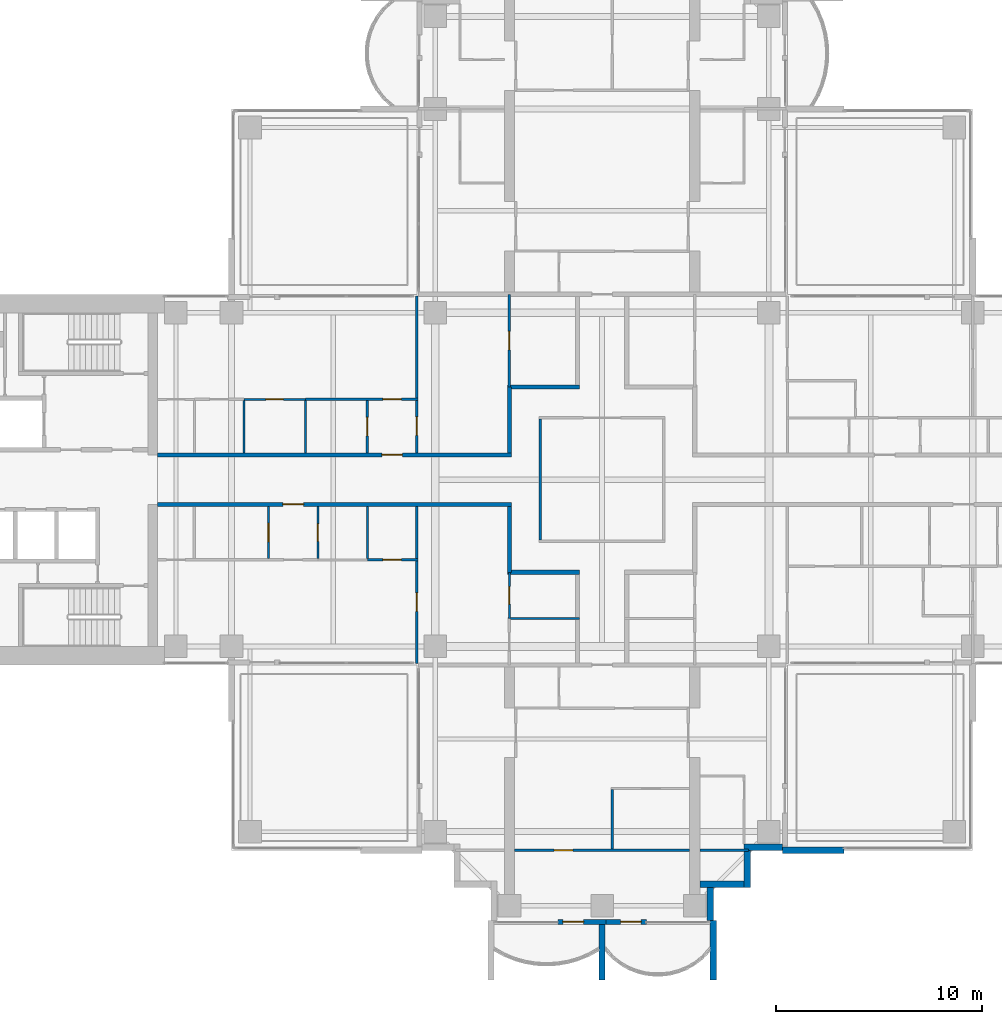
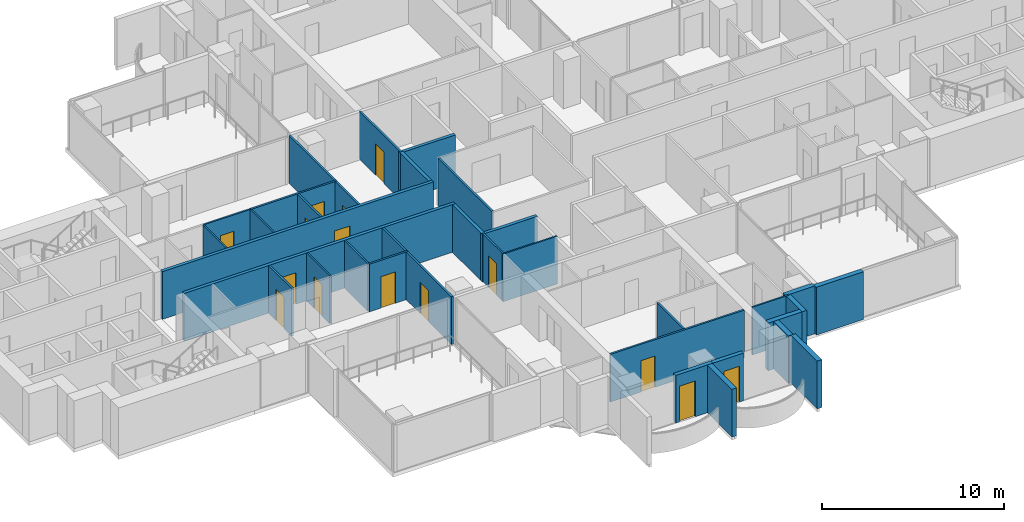
# One storey, part 10 of 19: 33 walls, 15 doors, 15 openings.
"""IFC4 building model written with IfcOpenShell, lengths in metres."""

from ifc_helpers import new_model, si_unit, direction, frame, frame_2d, origin, place, context, subcontext, project, spatial, rectangle, extrude, material, layer, layer_set, type_object, element, fill, save


model = new_model("IFC4")

# Units and contexts
model_context = context("Model", 3, precision=1e-05, world=origin(), true_north=direction((0.0, 1.0)))
body_context = subcontext(model_context, "Body", "Model", "MODEL_VIEW")
ifc_project = project(units=[si_unit("LENGTHUNIT", "METRE"), si_unit("AREAUNIT", "SQUARE_METRE"), si_unit("VOLUMEUNIT", "CUBIC_METRE"), si_unit("PLANEANGLEUNIT", "RADIAN"), si_unit("MASSUNIT", "GRAM", prefix="KILO")], contexts=[model_context])

# Site, building, storey
site_placement = place(None, origin())
site = spatial("IfcSite", under=ifc_project, at=site_placement, CompositionType="ELEMENT")
building_placement = place(site_placement, origin())
building = spatial("IfcBuilding", under=site, at=building_placement, Name="Perihelion Cross Residences", CompositionType="ELEMENT")
storey_placement = place(building_placement, frame((0.0, 0.0, 151.39990234375)))
storey = spatial("IfcBuildingStorey", under=building, at=storey_placement, Name="L37", CompositionType="ELEMENT", Elevation=151.39990234375)

# Wall, opening, door
ifc_material_1 = material(Name="Plasterboard partition")
ifc_layer_1 = layer(ifc_material_1, 0.199951171875)
ifc_layer_set_1 = layer_set([ifc_layer_1], Name="Apartment separation wall 200")
wall_type_1 = type_object("IfcWallType", Name="Apartment separation wall 200", PredefinedType="PARTITIONING", material=ifc_layer_set_1)
wall_1_placement = place(storey_placement, frame((-21.60009765625, 1.199951171875, 0.0), z_axis=(0.0, 0.0, 1.0), x_axis=(1.0, 0.0, 0.0)))
wall_1 = element("IfcWall", 1, at=wall_1_placement, inside=storey, type_object=wall_type_1, Name="Partition L37 W013", PredefinedType="PARTITIONING", context=body_context, shape_type="SweptSolid", body=[
    extrude(rectangle(XDim=17.2001953125, YDim=0.199951171875, at=frame_2d((8.60009765625, 0.0))), origin(), (0.0, 0.0, 1.0), 3.2001953125),
])
opening_1_placement = place(wall_1_placement, frame((10.89990234375, 0.0, 0.0)))
opening_1 = element("IfcOpeningElement", 2, at=opening_1_placement, cuts=wall_1, Name="Opening L37.A52", PredefinedType="OPENING", context=body_context, shape_type="SweptSolid", body=[
    extrude(rectangle(XDim=1.0, YDim=2.10009765625, at=frame_2d((0.5, 1.050048828125))), frame((0.0, 0.10986328125, 0.0), z_axis=(0.0, -1.0, 0.0), x_axis=(1.0, 0.0, 0.0)), (0.0, 0.0, 1.0), 0.219970703125),
])
ifc_material_2 = material(Name="Timber door leaf", Category="wood")
door_type_1 = type_object("IfcDoorType", Name="Flat entrance door 1000 x 2100", OperationType="SINGLE_SWING_LEFT", PredefinedType="DOOR", material=ifc_material_2)
door_1_placement = place(opening_1_placement, origin())
door_1 = element("IfcDoor", 3, at=door_1_placement, inside=storey, type_object=door_type_1, Name="Door L37.A52", OperationType="SINGLE_SWING_RIGHT", OverallHeight=2.10009765625, OverallWidth=1.0, PredefinedType="DOOR", context=body_context, shape_type="SweptSolid", body=[
    extrude(rectangle(XDim=1.0, YDim=2.10009765625, at=frame_2d((0.5, 1.050048828125))), frame((0.0, 0.02490234375, 0.0), z_axis=(0.0, -1.0, 0.0), x_axis=(1.0, 0.0, 0.0)), (0.0, 0.0, 1.0), 0.050048828125),
])
fill(opening_1, door_1)

# Walls
wall_2_placement = place(storey_placement, frame((-4.5, 1.300048828125, 0.0), z_axis=(0.0, 0.0, 1.0), x_axis=(0.0, 1.0, 0.0)))
element("IfcWall", 4, at=wall_2_placement, inside=storey, type_object=wall_type_1, Name="Partition L37 W014", PredefinedType="PARTITIONING", context=body_context, shape_type="SweptSolid", body=[
    extrude(rectangle(XDim=3.199951171875, YDim=0.199951171875, at=frame_2d((1.60009765625, 0.0))), origin(), (0.0, 0.0, 1.0), 3.2001953125),
])
wall_3_placement = place(storey_placement, frame((-4.60009765625, 4.5, 0.0), z_axis=(0.0, 0.0, 1.0), x_axis=(1.0, 0.0, 0.0)))
element("IfcWall", 5, at=wall_3_placement, inside=storey, type_object=wall_type_1, Name="Partition L37 W015", PredefinedType="PARTITIONING", context=body_context, shape_type="SweptSolid", body=[
    extrude(rectangle(XDim=3.5, YDim=0.199951171875, at=frame_2d((1.75, 0.0))), origin(), (0.0, 0.0, 1.0), 3.2001953125),
])

# Wall, opening, door
wall_4_placement = place(storey_placement, frame((-4.39990234375, -1.199951171875, 0.0), z_axis=(0.0, 0.0, 1.0), x_axis=(-1.0, 0.0, 0.0)))
wall_4 = element("IfcWall", 6, at=wall_4_placement, inside=storey, type_object=wall_type_1, Name="Partition L37 W017", PredefinedType="PARTITIONING", context=body_context, shape_type="SweptSolid", body=[
    extrude(rectangle(XDim=17.2001953125, YDim=0.199951171875, at=frame_2d((8.60009765625, 0.0))), origin(), (0.0, 0.0, 1.0), 3.2001953125),
])
opening_2_placement = place(wall_4_placement, frame((10.10009765625, 0.0, 0.0)))
opening_2 = element("IfcOpeningElement", 7, at=opening_2_placement, cuts=wall_4, Name="Opening L37.A53", PredefinedType="OPENING", context=body_context, shape_type="SweptSolid", body=[
    extrude(rectangle(XDim=1.0, YDim=2.10009765625, at=frame_2d((0.5, 1.050048828125))), frame((0.0, 0.10986328125, 0.0), z_axis=(0.0, -1.0, 0.0), x_axis=(1.0, 0.0, 0.0)), (0.0, 0.0, 1.0), 0.219970703125),
])
door_2_placement = place(opening_2_placement, origin())
door_2 = element("IfcDoor", 8, at=door_2_placement, inside=storey, type_object=door_type_1, Name="Door L37.A53", OperationType="SINGLE_SWING_RIGHT", OverallHeight=2.10009765625, OverallWidth=1.0, PredefinedType="DOOR", context=body_context, shape_type="SweptSolid", body=[
    extrude(rectangle(XDim=1.0, YDim=2.10009765625, at=frame_2d((0.5, 1.050048828125))), frame((0.0, 0.02490234375, 0.0), z_axis=(0.0, -1.0, 0.0), x_axis=(1.0, 0.0, 0.0)), (0.0, 0.0, 1.0), 0.050048828125),
])
fill(opening_2, door_2)

# Walls
wall_5_placement = place(storey_placement, frame((-4.5, -4.5, 0.0), z_axis=(0.0, 0.0, 1.0), x_axis=(0.0, 1.0, 0.0)))
element("IfcWall", 9, at=wall_5_placement, inside=storey, type_object=wall_type_1, Name="Partition L37 W018", PredefinedType="PARTITIONING", context=body_context, shape_type="SweptSolid", body=[
    extrude(rectangle(XDim=3.199951171875, YDim=0.199951171875, at=frame_2d((1.60009765625, 0.0))), origin(), (0.0, 0.0, 1.0), 3.2001953125),
])
wall_6_placement = place(storey_placement, frame((-1.10009765625, -4.5, 0.0), z_axis=(0.0, 0.0, 1.0), x_axis=(-1.0, 0.0, 0.0)))
element("IfcWall", 10, at=wall_6_placement, inside=storey, type_object=wall_type_1, Name="Partition L37 W020", PredefinedType="PARTITIONING", context=body_context, shape_type="SweptSolid", body=[
    extrude(rectangle(XDim=3.5, YDim=0.199951171875, at=frame_2d((1.75, 0.0))), origin(), (0.0, 0.0, 1.0), 3.2001953125),
])

# Wall, opening, door
ifc_material_3 = material(Name="Concrete C30/37, bronze-clad", Category="concrete")
ifc_layer_2 = layer(ifc_material_3, 0.25)
ifc_layer_set_2 = layer_set([ifc_layer_2], Name="Bronze-clad pier wall 250")
wall_type_2 = type_object("IfcWallType", Name="Bronze-clad pier wall 250", PredefinedType="SOLIDWALL", material=ifc_layer_set_2)
wall_7_placement = place(storey_placement, frame((-2.14990234375, -21.47509765625, 0.0), z_axis=(0.0, 0.0, 1.0), x_axis=(1.0, 0.0, 0.0)))
wall_7 = element("IfcWall", 11, at=wall_7_placement, inside=storey, type_object=wall_type_2, Name="Wall FW1 L37 south tip south bay 1 pier", PredefinedType="SOLIDWALL", context=body_context, shape_type="SweptSolid", body=[
    extrude(rectangle(XDim=2.349853515625, YDim=0.25, at=frame_2d((1.1748046875, 0.0))), origin(), (0.0, 0.0, 1.0), 3.2001953125),
])
opening_3_placement = place(wall_7_placement, frame((0.25, 0.0, 0.0)))
opening_3 = element("IfcOpeningElement", 12, at=opening_3_placement, cuts=wall_7, Name="Opening L37.E11", PredefinedType="OPENING", context=body_context, shape_type="SweptSolid", body=[
    extrude(rectangle(XDim=1.0, YDim=2.39990234375, at=frame_2d((0.5, 1.199951171875))), frame((0.0, 0.135009765625, 0.0), z_axis=(0.0, -1.0, 0.0), x_axis=(1.0, 0.0, 0.0)), (0.0, 0.0, 1.0), 0.27001953125),
])
ifc_material_4 = material(Name="Bronze anodised aluminium, glazed", Category="aluminium")
door_type_2 = type_object("IfcDoorType", Name="Balcony door 1000 x 2400", OperationType="NOTDEFINED", PredefinedType="DOOR", material=ifc_material_4)
door_3_placement = place(opening_3_placement, origin())
door_3 = element("IfcDoor", 13, at=door_3_placement, inside=storey, type_object=door_type_2, Name="Door L37.E11 south tip south bay 1", OperationType="SINGLE_SWING_RIGHT", OverallHeight=2.39990234375, OverallWidth=1.0, PredefinedType="DOOR", context=body_context, shape_type="SweptSolid", body=[
    extrude(rectangle(XDim=1.0, YDim=2.39990234375, at=frame_2d((0.5, 1.199951171875))), frame((0.0, 0.02490234375, 0.0), z_axis=(0.0, -1.0, 0.0), x_axis=(1.0, 0.0, 0.0)), (0.0, 0.0, 1.0), 0.050048828125),
])
fill(opening_3, door_3)

wall_8_placement = place(storey_placement, frame((0.199951171875, -21.47509765625, 0.0), z_axis=(0.0, 0.0, 1.0), x_axis=(1.0, 0.0, 0.0)))
wall_8 = element("IfcWall", 14, at=wall_8_placement, inside=storey, type_object=wall_type_2, Name="Wall FW1 L37 south tip south bay 2 pier", PredefinedType="SOLIDWALL", context=body_context, shape_type="SweptSolid", body=[
    extrude(rectangle(XDim=1.949951171875, YDim=0.25, at=frame_2d((0.97509765625, 0.0))), origin(), (0.0, 0.0, 1.0), 3.2001953125),
])
opening_4_placement = place(wall_8_placement, frame((0.699951171875, 0.0, 0.0)))
opening_4 = element("IfcOpeningElement", 15, at=opening_4_placement, cuts=wall_8, Name="Opening L37.E12", PredefinedType="OPENING", context=body_context, shape_type="SweptSolid", body=[
    extrude(rectangle(XDim=1.0, YDim=2.39990234375, at=frame_2d((0.5, 1.199951171875))), frame((0.0, 0.135009765625, 0.0), z_axis=(0.0, -1.0, 0.0), x_axis=(1.0, 0.0, 0.0)), (0.0, 0.0, 1.0), 0.27001953125),
])
door_4_placement = place(opening_4_placement, origin())
door_4 = element("IfcDoor", 16, at=door_4_placement, inside=storey, type_object=door_type_2, Name="Door L37.E12 south tip south bay 2", OperationType="SINGLE_SWING_LEFT", OverallHeight=2.39990234375, OverallWidth=1.0, PredefinedType="DOOR", context=body_context, shape_type="SweptSolid", body=[
    extrude(rectangle(XDim=1.0, YDim=2.39990234375, at=frame_2d((0.5, 1.199951171875))), frame((0.0, 0.02490234375, 0.0), z_axis=(0.0, -1.0, 0.0), x_axis=(1.0, 0.0, 0.0)), (0.0, 0.0, 1.0), 0.050048828125),
])
fill(opening_4, door_4)

# Walls
ifc_material_5 = material(Name="Concrete C30/37, bronze-clad", Category="concrete")
ifc_layer_3 = layer(ifc_material_5, 0.300048828125)
ifc_layer_set_3 = layer_set([ifc_layer_3], Name="Bronze-clad serration wall 300")
wall_type_3 = type_object("IfcWallType", Name="Bronze-clad serration wall 300", PredefinedType="SOLIDWALL", material=ifc_layer_set_3)
wall_9_placement = place(storey_placement, frame((5.25, -21.419921875, 0.0), z_axis=(0.0, 0.0, 1.0), x_axis=(0.0, 1.0, 0.0)))
element("IfcWall", 17, at=wall_9_placement, inside=storey, type_object=wall_type_3, Name="Wall SR1 L37 south corner south-east 1", PredefinedType="SOLIDWALL", context=body_context, shape_type="SweptSolid", body=[
    extrude(rectangle(XDim=1.619873046875, YDim=0.300048828125, at=frame_2d((0.81005859375, 0.0))), origin(), (0.0, 0.0, 1.0), 3.2001953125),
])
wall_10_placement = place(storey_placement, frame((4.75, -19.64990234375, 0.0), z_axis=(0.0, 0.0, 1.0), x_axis=(1.0, 0.0, 0.0)))
element("IfcWall", 18, at=wall_10_placement, inside=storey, type_object=wall_type_3, Name="Wall SR1 L37 south corner south-east 2", PredefinedType="SOLIDWALL", context=body_context, shape_type="SweptSolid", body=[
    extrude(rectangle(XDim=2.14990234375, YDim=0.300048828125, at=frame_2d((1.074951171875, 0.0))), origin(), (0.0, 0.0, 1.0), 3.2001953125),
])
wall_11_placement = place(storey_placement, frame((7.050048828125, -19.800048828125, 0.0), z_axis=(0.0, 0.0, 1.0), x_axis=(0.0, 1.0, 0.0)))
element("IfcWall", 19, at=wall_11_placement, inside=storey, type_object=wall_type_3, Name="Wall SR1 L37 south corner south-east 3", PredefinedType="SOLIDWALL", context=body_context, shape_type="SweptSolid", body=[
    extrude(rectangle(XDim=1.800048828125, YDim=0.300048828125, at=frame_2d((0.89990234375, 0.0))), origin(), (0.0, 0.0, 1.0), 3.2001953125),
])
wall_12_placement = place(storey_placement, frame((6.89990234375, -17.85009765625, 0.0), z_axis=(0.0, 0.0, 1.0), x_axis=(1.0, 0.0, 0.0)))
element("IfcWall", 20, at=wall_12_placement, inside=storey, type_object=wall_type_3, Name="Wall SR1 L37 south corner south-east 4", PredefinedType="SOLIDWALL", context=body_context, shape_type="SweptSolid", body=[
    extrude(rectangle(XDim=1.85009765625, YDim=0.300048828125, at=frame_2d((0.925048828125, 0.0))), origin(), (0.0, 0.0, 1.0), 3.2001953125),
])
ifc_material_6 = material(Name="Plasterboard partition")
ifc_layer_4 = layer(ifc_material_6, 0.1201171875)
ifc_layer_set_4 = layer_set([ifc_layer_4], Name="Partition wall 120")
wall_type_4 = type_object("IfcWallType", Name="Partition wall 120", PredefinedType="PARTITIONING", material=ifc_layer_set_4)
wall_13_placement = place(storey_placement, frame((-3.0, 2.93994140625, 0.0), z_axis=(0.0, 0.0, 1.0), x_axis=(0.0, -1.0, 0.0)))
element("IfcWall", 21, at=wall_13_placement, inside=storey, type_object=wall_type_4, Name="Partition L37 W004", PredefinedType="PARTITIONING", context=body_context, shape_type="SweptSolid", body=[
    extrude(rectangle(XDim=5.8798828125, YDim=0.1201171875, at=frame_2d((2.93994140625, 0.0))), origin(), (0.0, 0.0, 1.0), 3.2001953125),
])

# Wall, opening, door
wall_14_placement = place(storey_placement, frame((-11.39990234375, 1.300048828125, 0.0), z_axis=(0.0, 0.0, 1.0), x_axis=(0.0, 1.0, 0.0)))
wall_14 = element("IfcWall", 22, at=wall_14_placement, inside=storey, type_object=wall_type_4, Name="Partition L37 W046", PredefinedType="PARTITIONING", context=body_context, shape_type="SweptSolid", body=[
    extrude(rectangle(XDim=2.5400390625, YDim=0.1201171875, at=frame_2d((1.27001953125, 0.0))), origin(), (0.0, 0.0, 1.0), 3.2001953125),
])
opening_5_placement = place(wall_14_placement, frame((0.820068359375, 0.0, 0.0)))
opening_5 = element("IfcOpeningElement", 23, at=opening_5_placement, cuts=wall_14, Name="Opening L37.A21", PredefinedType="OPENING", context=body_context, shape_type="SweptSolid", body=[
    extrude(rectangle(XDim=0.89990234375, YDim=2.10009765625, at=frame_2d((0.449951171875, 1.050048828125))), frame((0.0, 0.070068359375, 0.0), z_axis=(0.0, -1.0, 0.0), x_axis=(1.0, 0.0, 0.0)), (0.0, 0.0, 1.0), 0.14013671875),
])
ifc_material_7 = material(Name="Timber door leaf", Category="wood")
door_type_3 = type_object("IfcDoorType", Name="Interior room door 900 x 2100", OperationType="SINGLE_SWING_LEFT", PredefinedType="DOOR", material=ifc_material_7)
door_5_placement = place(opening_5_placement, origin())
door_5 = element("IfcDoor", 24, at=door_5_placement, inside=storey, type_object=door_type_3, Name="Door L37.A21", OperationType="SINGLE_SWING_LEFT", OverallHeight=2.10009765625, OverallWidth=0.89990234375, PredefinedType="DOOR", context=body_context, shape_type="SweptSolid", body=[
    extrude(rectangle(XDim=0.89990234375, YDim=2.10009765625, at=frame_2d((0.449951171875, 1.050048828125))), frame((0.0, 0.02490234375, 0.0), z_axis=(0.0, -1.0, 0.0), x_axis=(1.0, 0.0, 0.0)), (0.0, 0.0, 1.0), 0.050048828125),
])
fill(opening_5, door_5)

wall_15_placement = place(storey_placement, frame((-14.39990234375, 3.89990234375, 0.0), z_axis=(0.0, 0.0, 1.0), x_axis=(1.0, 0.0, 0.0)))
wall_15 = element("IfcWall", 25, at=wall_15_placement, inside=storey, type_object=wall_type_4, Name="Partition L37 W047", PredefinedType="PARTITIONING", context=body_context, shape_type="SweptSolid", body=[
    extrude(rectangle(XDim=5.4599609375, YDim=0.1201171875, at=frame_2d((2.72998046875, 0.0))), origin(), (0.0, 0.0, 1.0), 3.2001953125),
])
opening_6_placement = place(wall_15_placement, frame((3.75, 0.0, 0.0)))
opening_6 = element("IfcOpeningElement", 26, at=opening_6_placement, cuts=wall_15, Name="Opening L37.A23", PredefinedType="OPENING", context=body_context, shape_type="SweptSolid", body=[
    extrude(rectangle(XDim=0.89990234375, YDim=2.10009765625, at=frame_2d((0.449951171875, 1.050048828125))), frame((0.0, 0.070068359375, 0.0), z_axis=(0.0, -1.0, 0.0), x_axis=(1.0, 0.0, 0.0)), (0.0, 0.0, 1.0), 0.14013671875),
])
door_6_placement = place(opening_6_placement, origin())
door_6 = element("IfcDoor", 27, at=door_6_placement, inside=storey, type_object=door_type_3, Name="Door L37.A23", OperationType="SINGLE_SWING_RIGHT", OverallHeight=2.10009765625, OverallWidth=0.89990234375, PredefinedType="DOOR", context=body_context, shape_type="SweptSolid", body=[
    extrude(rectangle(XDim=0.89990234375, YDim=2.10009765625, at=frame_2d((0.449951171875, 1.050048828125))), frame((0.0, 0.02490234375, 0.0), z_axis=(0.0, -1.0, 0.0), x_axis=(1.0, 0.0, 0.0)), (0.0, 0.0, 1.0), 0.050048828125),
])
fill(opening_6, door_6)

wall_16_placement = place(storey_placement, frame((-9.0, 8.919921875, 0.0), z_axis=(0.0, 0.0, 1.0), x_axis=(0.0, -1.0, 0.0)))
wall_16 = element("IfcWall", 28, at=wall_16_placement, inside=storey, type_object=wall_type_4, Name="Partition L37 W048", PredefinedType="PARTITIONING", context=body_context, shape_type="SweptSolid", body=[
    extrude(rectangle(XDim=7.619873046875, YDim=0.1201171875, at=frame_2d((3.81005859375, 0.0))), origin(), (0.0, 0.0, 1.0), 3.2001953125),
])
opening_7_placement = place(wall_16_placement, frame((5.8701171875, 0.0, 0.0)))
opening_7 = element("IfcOpeningElement", 29, at=opening_7_placement, cuts=wall_16, Name="Opening L37.A24", PredefinedType="OPENING", context=body_context, shape_type="SweptSolid", body=[
    extrude(rectangle(XDim=0.89990234375, YDim=2.10009765625, at=frame_2d((0.449951171875, 1.050048828125))), frame((0.0, 0.070068359375, 0.0), z_axis=(0.0, -1.0, 0.0), x_axis=(1.0, 0.0, 0.0)), (0.0, 0.0, 1.0), 0.14013671875),
])
door_7_placement = place(opening_7_placement, origin())
door_7 = element("IfcDoor", 30, at=door_7_placement, inside=storey, type_object=door_type_3, Name="Door L37.A24", OperationType="SINGLE_SWING_RIGHT", OverallHeight=2.10009765625, OverallWidth=0.89990234375, PredefinedType="DOOR", context=body_context, shape_type="SweptSolid", body=[
    extrude(rectangle(XDim=0.89990234375, YDim=2.10009765625, at=frame_2d((0.449951171875, 1.050048828125))), frame((0.0, 0.02490234375, 0.0), z_axis=(0.0, -1.0, 0.0), x_axis=(1.0, 0.0, 0.0)), (0.0, 0.0, 1.0), 0.050048828125),
])
fill(opening_7, door_7)

wall_17_placement = place(storey_placement, frame((-4.5, 9.0, 0.0), z_axis=(0.0, 0.0, 1.0), x_axis=(0.0, -1.0, 0.0)))
wall_17 = element("IfcWall", 31, at=wall_17_placement, inside=storey, type_object=wall_type_4, Name="Partition L37 W055", PredefinedType="PARTITIONING", context=body_context, shape_type="SweptSolid", body=[
    extrude(rectangle(XDim=4.5, YDim=0.1201171875, at=frame_2d((2.25, 0.0))), origin(), (0.0, 0.0, 1.0), 3.2001953125),
])
opening_8_placement = place(wall_17_placement, frame((1.800048828125, 0.0, 0.0)))
opening_8 = element("IfcOpeningElement", 32, at=opening_8_placement, cuts=wall_17, Name="Opening L37.A20", PredefinedType="OPENING", context=body_context, shape_type="SweptSolid", body=[
    extrude(rectangle(XDim=0.89990234375, YDim=2.10009765625, at=frame_2d((0.449951171875, 1.050048828125))), frame((0.0, 0.070068359375, 0.0), z_axis=(0.0, -1.0, 0.0), x_axis=(1.0, 0.0, 0.0)), (0.0, 0.0, 1.0), 0.14013671875),
])
door_8_placement = place(opening_8_placement, origin())
door_8 = element("IfcDoor", 33, at=door_8_placement, inside=storey, type_object=door_type_3, Name="Door L37.A20", OperationType="SINGLE_SWING_LEFT", OverallHeight=2.10009765625, OverallWidth=0.89990234375, PredefinedType="DOOR", context=body_context, shape_type="SweptSolid", body=[
    extrude(rectangle(XDim=0.89990234375, YDim=2.10009765625, at=frame_2d((0.449951171875, 1.050048828125))), frame((0.0, 0.02490234375, 0.0), z_axis=(0.0, -1.0, 0.0), x_axis=(1.0, 0.0, 0.0)), (0.0, 0.0, 1.0), 0.050048828125),
])
fill(opening_8, door_8)

wall_18_placement = place(storey_placement, frame((-8.93994140625, -3.89990234375, 0.0), z_axis=(0.0, 0.0, 1.0), x_axis=(-1.0, 0.0, 0.0)))
wall_18 = element("IfcWall", 34, at=wall_18_placement, inside=storey, type_object=wall_type_4, Name="Partition L37 W057", PredefinedType="PARTITIONING", context=body_context, shape_type="SweptSolid", body=[
    extrude(rectangle(XDim=2.4599609375, YDim=0.1201171875, at=frame_2d((1.22998046875, 0.0))), origin(), (0.0, 0.0, 1.0), 3.2001953125),
])
opening_9_placement = place(wall_18_placement, frame((0.81005859375, 0.0, 0.0)))
opening_9 = element("IfcOpeningElement", 35, at=opening_9_placement, cuts=wall_18, Name="Opening L37.A33", PredefinedType="OPENING", context=body_context, shape_type="SweptSolid", body=[
    extrude(rectangle(XDim=0.89990234375, YDim=2.10009765625, at=frame_2d((0.449951171875, 1.050048828125))), frame((0.0, 0.070068359375, 0.0), z_axis=(0.0, -1.0, 0.0), x_axis=(1.0, 0.0, 0.0)), (0.0, 0.0, 1.0), 0.14013671875),
])
door_9_placement = place(opening_9_placement, origin())
door_9 = element("IfcDoor", 36, at=door_9_placement, inside=storey, type_object=door_type_3, Name="Door L37.A33", OperationType="SINGLE_SWING_RIGHT", OverallHeight=2.10009765625, OverallWidth=0.89990234375, PredefinedType="DOOR", context=body_context, shape_type="SweptSolid", body=[
    extrude(rectangle(XDim=0.89990234375, YDim=2.10009765625, at=frame_2d((0.449951171875, 1.050048828125))), frame((0.0, 0.02490234375, 0.0), z_axis=(0.0, -1.0, 0.0), x_axis=(1.0, 0.0, 0.0)), (0.0, 0.0, 1.0), 0.050048828125),
])
fill(opening_9, door_9)

wall_19_placement = place(storey_placement, frame((-9.0, -1.300048828125, 0.0), z_axis=(0.0, 0.0, 1.0), x_axis=(0.0, -1.0, 0.0)))
wall_19 = element("IfcWall", 37, at=wall_19_placement, inside=storey, type_object=wall_type_4, Name="Partition L37 W058", PredefinedType="PARTITIONING", context=body_context, shape_type="SweptSolid", body=[
    extrude(rectangle(XDim=7.619873046875, YDim=0.1201171875, at=frame_2d((3.81005859375, 0.0))), origin(), (0.0, 0.0, 1.0), 3.2001953125),
])
opening_10_placement = place(wall_19_placement, frame((4.199951171875, 0.0, 0.0)))
opening_10 = element("IfcOpeningElement", 38, at=opening_10_placement, cuts=wall_19, Name="Opening L37.A28", PredefinedType="OPENING", context=body_context, shape_type="SweptSolid", body=[
    extrude(rectangle(XDim=0.89990234375, YDim=2.10009765625, at=frame_2d((0.449951171875, 1.050048828125))), frame((0.0, 0.070068359375, 0.0), z_axis=(0.0, -1.0, 0.0), x_axis=(1.0, 0.0, 0.0)), (0.0, 0.0, 1.0), 0.14013671875),
])
door_10_placement = place(opening_10_placement, origin())
door_10 = element("IfcDoor", 39, at=door_10_placement, inside=storey, type_object=door_type_3, Name="Door L37.A28", OperationType="SINGLE_SWING_RIGHT", OverallHeight=2.10009765625, OverallWidth=0.89990234375, PredefinedType="DOOR", context=body_context, shape_type="SweptSolid", body=[
    extrude(rectangle(XDim=0.89990234375, YDim=2.10009765625, at=frame_2d((0.449951171875, 1.050048828125))), frame((0.0, 0.02490234375, 0.0), z_axis=(0.0, -1.0, 0.0), x_axis=(1.0, 0.0, 0.0)), (0.0, 0.0, 1.0), 0.050048828125),
])
fill(opening_10, door_10)

wall_20_placement = place(storey_placement, frame((-16.199951171875, -3.840087890625, 0.0), z_axis=(0.0, 0.0, 1.0), x_axis=(0.0, 1.0, 0.0)))
wall_20 = element("IfcWall", 40, at=wall_20_placement, inside=storey, type_object=wall_type_4, Name="Partition L37 W061", PredefinedType="PARTITIONING", context=body_context, shape_type="SweptSolid", body=[
    extrude(rectangle(XDim=2.5400390625, YDim=0.1201171875, at=frame_2d((1.27001953125, 0.0))), origin(), (0.0, 0.0, 1.0), 3.2001953125),
])
opening_11_placement = place(wall_20_placement, frame((0.820068359375, 0.0, 0.0)))
opening_11 = element("IfcOpeningElement", 41, at=opening_11_placement, cuts=wall_20, Name="Opening L37.A29", PredefinedType="OPENING", context=body_context, shape_type="SweptSolid", body=[
    extrude(rectangle(XDim=0.89990234375, YDim=2.10009765625, at=frame_2d((0.449951171875, 1.050048828125))), frame((0.0, 0.070068359375, 0.0), z_axis=(0.0, -1.0, 0.0), x_axis=(1.0, 0.0, 0.0)), (0.0, 0.0, 1.0), 0.14013671875),
])
door_11_placement = place(opening_11_placement, origin())
door_11 = element("IfcDoor", 42, at=door_11_placement, inside=storey, type_object=door_type_3, Name="Door L37.A29", OperationType="SINGLE_SWING_LEFT", OverallHeight=2.10009765625, OverallWidth=0.89990234375, PredefinedType="DOOR", context=body_context, shape_type="SweptSolid", body=[
    extrude(rectangle(XDim=0.89990234375, YDim=2.10009765625, at=frame_2d((0.449951171875, 1.050048828125))), frame((0.0, 0.02490234375, 0.0), z_axis=(0.0, -1.0, 0.0), x_axis=(1.0, 0.0, 0.0)), (0.0, 0.0, 1.0), 0.050048828125),
])
fill(opening_11, door_11)

# Wall
wall_21_placement = place(storey_placement, frame((0.5, -15.06005859375, 0.0), z_axis=(0.0, 0.0, 1.0), x_axis=(0.0, -1.0, 0.0)))
element("IfcWall", 43, at=wall_21_placement, inside=storey, type_object=wall_type_4, Name="Partition L37 W091", PredefinedType="PARTITIONING", context=body_context, shape_type="SweptSolid", body=[
    extrude(rectangle(XDim=2.8798828125, YDim=0.1201171875, at=frame_2d((1.43994140625, 0.0))), origin(), (0.0, 0.0, 1.0), 3.2001953125),
])

# Wall, opening, door
wall_22_placement = place(storey_placement, frame((4.25, -18.0, 0.0), z_axis=(0.0, 0.0, 1.0), x_axis=(-1.0, 0.0, 0.0)))
wall_22 = element("IfcWall", 44, at=wall_22_placement, inside=storey, type_object=wall_type_4, Name="Partition L37 W092", PredefinedType="PARTITIONING", context=body_context, shape_type="SweptSolid", body=[
    extrude(rectangle(XDim=8.5, YDim=0.1201171875, at=frame_2d((4.25, 0.0))), origin(), (0.0, 0.0, 1.0), 3.2001953125),
])
opening_12_placement = place(wall_22_placement, frame((5.675048828125, 0.0, 0.0)))
opening_12 = element("IfcOpeningElement", 45, at=opening_12_placement, cuts=wall_22, Name="Opening L37.A48", PredefinedType="OPENING", context=body_context, shape_type="SweptSolid", body=[
    extrude(rectangle(XDim=0.89990234375, YDim=2.10009765625, at=frame_2d((0.449951171875, 1.050048828125))), frame((0.0, 0.070068359375, 0.0), z_axis=(0.0, -1.0, 0.0), x_axis=(1.0, 0.0, 0.0)), (0.0, 0.0, 1.0), 0.14013671875),
])
door_12_placement = place(opening_12_placement, origin())
door_12 = element("IfcDoor", 46, at=door_12_placement, inside=storey, type_object=door_type_3, Name="Door L37.A48", OperationType="SINGLE_SWING_LEFT", OverallHeight=2.10009765625, OverallWidth=0.89990234375, PredefinedType="DOOR", context=body_context, shape_type="SweptSolid", body=[
    extrude(rectangle(XDim=0.89990234375, YDim=2.10009765625, at=frame_2d((0.449951171875, 1.050048828125))), frame((0.0, 0.02490234375, 0.0), z_axis=(0.0, -1.0, 0.0), x_axis=(1.0, 0.0, 0.0)), (0.0, 0.0, 1.0), 0.050048828125),
])
fill(opening_12, door_12)

# Walls
ifc_material_8 = material(Name="Precast concrete C50/60", Category="concrete")
ifc_layer_5 = layer(ifc_material_8, 0.300048828125)
ifc_layer_set_5 = layer_set([ifc_layer_5], Name="Precast concrete C50/60 blade wall 300")
wall_type_5 = type_object("IfcWallType", Name="Precast concrete C50/60 blade wall 300", PredefinedType="SOLIDWALL", material=ifc_layer_set_5)
wall_23_placement = place(storey_placement, frame((0.0, -21.60009765625, 0.0), z_axis=(0.0, 0.0, 1.0), x_axis=(0.0, -1.0, 0.0)))
element("IfcWall", 47, at=wall_23_placement, inside=storey, type_object=wall_type_5, Name="Wall BL1 L37 no. 8", PredefinedType="SOLIDWALL", context=body_context, shape_type="SweptSolid", body=[
    extrude(rectangle(XDim=2.699951171875, YDim=0.300048828125, at=frame_2d((1.35009765625, 0.0))), origin(), (0.0, 0.0, 1.0), 3.2001953125),
])
wall_24_placement = place(storey_placement, frame((5.39990234375, -21.419921875, 0.0), z_axis=(0.0, 0.0, 1.0), x_axis=(0.0, -1.0, 0.0)))
element("IfcWall", 48, at=wall_24_placement, inside=storey, type_object=wall_type_5, Name="Wall BL1 L37 no. 12", PredefinedType="SOLIDWALL", context=body_context, shape_type="SweptSolid", body=[
    extrude(rectangle(XDim=2.880126953125, YDim=0.300048828125, at=frame_2d((1.43994140625, 0.0))), origin(), (0.0, 0.0, 1.0), 3.2001953125),
])
wall_25_placement = place(storey_placement, frame((8.75, -18.0, 0.0), z_axis=(0.0, 0.0, 1.0), x_axis=(1.0, 0.0, 0.0)))
element("IfcWall", 49, at=wall_25_placement, inside=storey, type_object=wall_type_5, Name="Wall BL1 L37 no. 14", PredefinedType="SOLIDWALL", context=body_context, shape_type="SweptSolid", body=[
    extrude(rectangle(XDim=2.989990234375, YDim=0.300048828125, at=frame_2d((1.4951171875, 0.0))), origin(), (0.0, 0.0, 1.0), 3.2001953125),
])
ifc_material_9 = material(Name="Plasterboard partition")
ifc_layer_6 = layer(ifc_material_9, 0.10009765625)
ifc_layer_set_6 = layer_set([ifc_layer_6], Name="Wet room wall 100")
wall_type_6 = type_object("IfcWallType", Name="Wet room wall 100", PredefinedType="PARTITIONING", material=ifc_layer_set_6)
for number, where, z_axis, x_axis, name in (
    (50, (-14.39990234375, 1.300048828125, 0.0), (0.0, 0.0, 1.0), (0.0, 1.0, 0.0), "Partition L37 W049"),
    (51, (-17.39990234375, 1.300048828125, 0.0), (0.0, 0.0, 1.0), (0.0, 1.0, 0.0), "Partition L37 W050"),
):
    element("IfcWall", number, at=place(storey_placement, frame(where, z_axis=z_axis, x_axis=x_axis)), inside=storey, type_object=wall_type_6, Name=name, PredefinedType="PARTITIONING", context=body_context, shape_type="SweptSolid", body=[
        extrude(rectangle(XDim=2.5400390625, YDim=0.10009765625, at=frame_2d((1.27001953125, 0.0))), origin(), (0.0, 0.0, 1.0), 3.2001953125),
    ])

# Wall, opening, door
wall_26_placement = place(storey_placement, frame((-17.39990234375, 3.89990234375, 0.0), z_axis=(0.0, 0.0, 1.0), x_axis=(1.0, 0.0, 0.0)))
wall_26 = element("IfcWall", 52, at=wall_26_placement, inside=storey, type_object=wall_type_6, Name="Partition L37 W051", PredefinedType="PARTITIONING", context=body_context, shape_type="SweptSolid", body=[
    extrude(rectangle(XDim=3.0, YDim=0.10009765625, at=frame_2d((1.5, 0.0))), origin(), (0.0, 0.0, 1.0), 3.2001953125),
])
opening_13_placement = place(wall_26_placement, frame((1.074951171875, 0.0, 0.0)))
opening_13 = element("IfcOpeningElement", 53, at=opening_13_placement, cuts=wall_26, Name="Opening L37.A19", PredefinedType="OPENING", context=body_context, shape_type="SweptSolid", body=[
    extrude(rectangle(XDim=0.85009765625, YDim=2.10009765625, at=frame_2d((0.425048828125, 1.050048828125))), frame((0.0, 0.06005859375, 0.0), z_axis=(0.0, -1.0, 0.0), x_axis=(1.0, 0.0, 0.0)), (0.0, 0.0, 1.0), 0.1201171875),
])
ifc_material_10 = material(Name="Timber door leaf", Category="wood")
door_type_4 = type_object("IfcDoorType", Name="Interior bathroom door 850 x 2100", OperationType="SINGLE_SWING_LEFT", PredefinedType="DOOR", material=ifc_material_10)
door_13_placement = place(opening_13_placement, origin())
door_13 = element("IfcDoor", 54, at=door_13_placement, inside=storey, type_object=door_type_4, Name="Door L37.A19", OperationType="SINGLE_SWING_LEFT", OverallHeight=2.10009765625, OverallWidth=0.85009765625, PredefinedType="DOOR", context=body_context, shape_type="SweptSolid", body=[
    extrude(rectangle(XDim=0.85009765625, YDim=2.10009765625, at=frame_2d((0.425048828125, 1.050048828125))), frame((0.0, 0.02490234375, 0.0), z_axis=(0.0, -1.0, 0.0), x_axis=(1.0, 0.0, 0.0)), (0.0, 0.0, 1.0), 0.050048828125),
])
fill(opening_13, door_13)

# Wall
wall_27_placement = place(storey_placement, frame((-11.39990234375, -3.840087890625, 0.0), z_axis=(0.0, 0.0, 1.0), x_axis=(0.0, 1.0, 0.0)))
element("IfcWall", 55, at=wall_27_placement, inside=storey, type_object=wall_type_6, Name="Partition L37 W056", PredefinedType="PARTITIONING", context=body_context, shape_type="SweptSolid", body=[
    extrude(rectangle(XDim=2.5400390625, YDim=0.10009765625, at=frame_2d((1.27001953125, 0.0))), origin(), (0.0, 0.0, 1.0), 3.2001953125),
])

# Wall, opening, door
wall_28_placement = place(storey_placement, frame((-13.800048828125, -3.840087890625, 0.0), z_axis=(0.0, 0.0, 1.0), x_axis=(0.0, 1.0, 0.0)))
wall_28 = element("IfcWall", 56, at=wall_28_placement, inside=storey, type_object=wall_type_6, Name="Partition L37 W059", PredefinedType="PARTITIONING", context=body_context, shape_type="SweptSolid", body=[
    extrude(rectangle(XDim=2.5400390625, YDim=0.10009765625, at=frame_2d((1.27001953125, 0.0))), origin(), (0.0, 0.0, 1.0), 3.2001953125),
])
opening_14_placement = place(wall_28_placement, frame((0.844970703125, 0.0, 0.0)))
opening_14 = element("IfcOpeningElement", 57, at=opening_14_placement, cuts=wall_28, Name="Opening L37.A26", PredefinedType="OPENING", context=body_context, shape_type="SweptSolid", body=[
    extrude(rectangle(XDim=0.85009765625, YDim=2.10009765625, at=frame_2d((0.425048828125, 1.050048828125))), frame((0.0, 0.06005859375, 0.0), z_axis=(0.0, -1.0, 0.0), x_axis=(1.0, 0.0, 0.0)), (0.0, 0.0, 1.0), 0.1201171875),
])
door_14_placement = place(opening_14_placement, origin())
door_14 = element("IfcDoor", 58, at=door_14_placement, inside=storey, type_object=door_type_4, Name="Door L37.A26", OperationType="SINGLE_SWING_LEFT", OverallHeight=2.10009765625, OverallWidth=0.85009765625, PredefinedType="DOOR", context=body_context, shape_type="SweptSolid", body=[
    extrude(rectangle(XDim=0.85009765625, YDim=2.10009765625, at=frame_2d((0.425048828125, 1.050048828125))), frame((0.0, 0.02490234375, 0.0), z_axis=(0.0, -1.0, 0.0), x_axis=(1.0, 0.0, 0.0)), (0.0, 0.0, 1.0), 0.050048828125),
])
fill(opening_14, door_14)

wall_29_placement = place(storey_placement, frame((-4.5, -4.5, 0.0), z_axis=(0.0, 0.0, 1.0), x_axis=(0.0, -1.0, 0.0)))
wall_29 = element("IfcWall", 59, at=wall_29_placement, inside=storey, type_object=wall_type_6, Name="Partition L37 W064", PredefinedType="PARTITIONING", context=body_context, shape_type="SweptSolid", body=[
    extrude(rectangle(XDim=2.25, YDim=0.10009765625, at=frame_2d((1.125, 0.0))), origin(), (0.0, 0.0, 1.0), 3.2001953125),
])
opening_15_placement = place(wall_29_placement, frame((0.699951171875, 0.0, 0.0)))
opening_15 = element("IfcOpeningElement", 60, at=opening_15_placement, cuts=wall_29, Name="Opening L37.A27", PredefinedType="OPENING", context=body_context, shape_type="SweptSolid", body=[
    extrude(rectangle(XDim=0.85009765625, YDim=2.10009765625, at=frame_2d((0.425048828125, 1.050048828125))), frame((0.0, 0.06005859375, 0.0), z_axis=(0.0, -1.0, 0.0), x_axis=(1.0, 0.0, 0.0)), (0.0, 0.0, 1.0), 0.1201171875),
])
door_15_placement = place(opening_15_placement, origin())
door_15 = element("IfcDoor", 61, at=door_15_placement, inside=storey, type_object=door_type_4, Name="Door L37.A27", OperationType="SINGLE_SWING_LEFT", OverallHeight=2.10009765625, OverallWidth=0.85009765625, PredefinedType="DOOR", context=body_context, shape_type="SweptSolid", body=[
    extrude(rectangle(XDim=0.85009765625, YDim=2.10009765625, at=frame_2d((0.425048828125, 1.050048828125))), frame((0.0, 0.02490234375, 0.0), z_axis=(0.0, -1.0, 0.0), x_axis=(1.0, 0.0, 0.0)), (0.0, 0.0, 1.0), 0.050048828125),
])
fill(opening_15, door_15)

# Walls
wall_30_placement = place(storey_placement, frame((-1.10009765625, -6.75, 0.0), z_axis=(0.0, 0.0, 1.0), x_axis=(-1.0, 0.0, 0.0)))
element("IfcWall", 62, at=wall_30_placement, inside=storey, type_object=wall_type_6, Name="Partition L37 W066", PredefinedType="PARTITIONING", context=body_context, shape_type="SweptSolid", body=[
    extrude(rectangle(XDim=3.4599609375, YDim=0.10009765625, at=frame_2d((1.72998046875, 0.0))), origin(), (0.0, 0.0, 1.0), 3.2001953125),
])
wall_31_placement = place(storey_placement, frame((7.1201171875, -18.0, 0.0), z_axis=(0.0, 0.0, 1.0), x_axis=(-1.0, 0.0, 0.0)))
element("IfcWall", 63, at=wall_31_placement, inside=storey, type_object=wall_type_6, Name="Partition L37 W095", PredefinedType="PARTITIONING", context=body_context, shape_type="SweptSolid", body=[
    extrude(rectangle(XDim=2.3701171875, YDim=0.10009765625, at=frame_2d((1.18505859375, 0.0))), origin(), (0.0, 0.0, 1.0), 3.2001953125),
])

save(model, "model.ifc")
